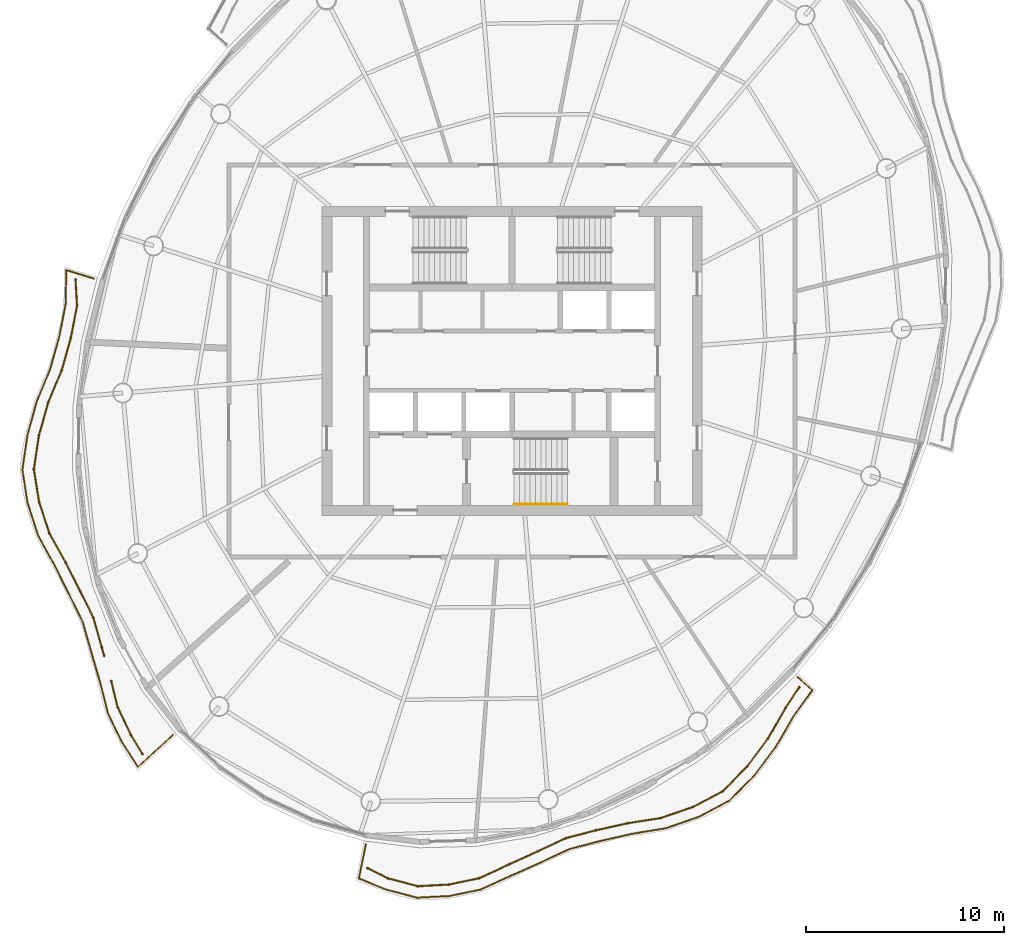
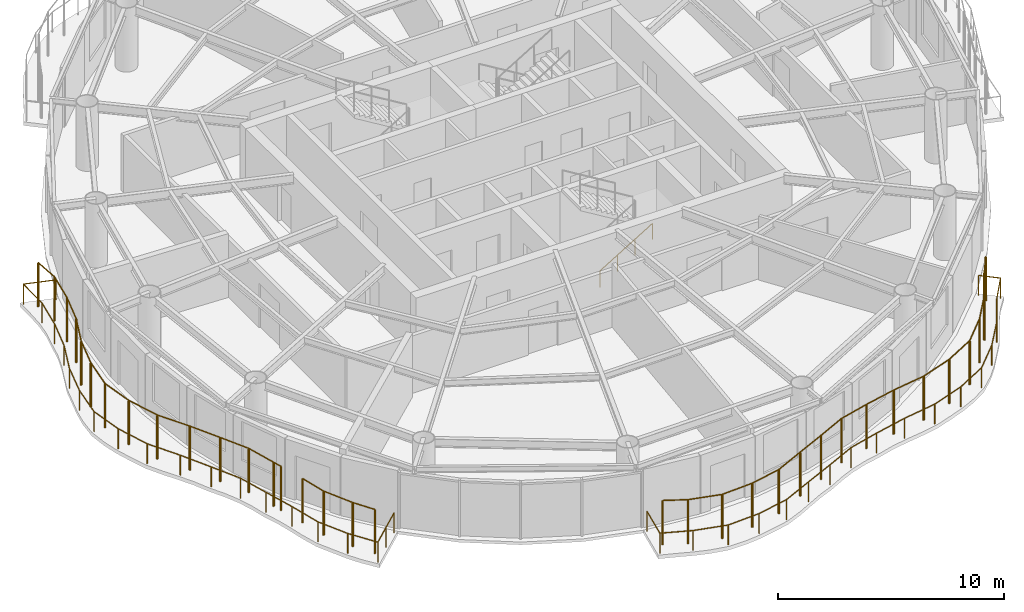
# One storey, part 11 of 13: 6 railings.
"""IFC4 building model written with IfcOpenShell, lengths in metres."""

from ifc_helpers import new_model, si_unit, direction, frame, origin, origin_2d, place, context, subcontext, project, spatial, circle, extrude, material, type_object, element, save


model = new_model("IFC4")

# Units and contexts
model_context = context("Model", 3, precision=1e-05, world=origin(), true_north=direction((0.0, 1.0)))
body_context = subcontext(model_context, "Body", "Model", "MODEL_VIEW")
ifc_project = project(units=[si_unit("LENGTHUNIT", "METRE"), si_unit("AREAUNIT", "SQUARE_METRE"), si_unit("VOLUMEUNIT", "CUBIC_METRE"), si_unit("PLANEANGLEUNIT", "RADIAN"), si_unit("MASSUNIT", "GRAM", prefix="KILO")], contexts=[model_context])

# Site, building, storey
site_placement = place(None, origin())
site = spatial("IfcSite", under=ifc_project, at=site_placement, CompositionType="ELEMENT")
building_placement = place(site_placement, origin())
building = spatial("IfcBuilding", under=site, at=building_placement, Name="Vermilion Reach Broadcast Tower", CompositionType="ELEMENT")
storey_placement = place(building_placement, frame((0.0, 0.0, 275.699951171875)))
storey = spatial("IfcBuildingStorey", under=building, at=storey_placement, Name="L68", CompositionType="ELEMENT", Elevation=275.699951171875)

# Railings
ifc_material_1 = material(Name="Terracotta baguette", Category="masonry")
railing_type_1 = type_object("IfcRailingType", Name="BAGUETTE SCREEN", PredefinedType="USERDEFINED", material=ifc_material_1)
railing_1_placement = place(storey_placement, frame((-28.05029296875, 4.098388671875, 0.0)))
element("IfcRailing", 1, at=railing_1_placement, inside=storey, type_object=railing_type_1, Name="Baguette screen L68 group 2 part 1", ObjectType="BAGUETTE SCREEN", PredefinedType="USERDEFINED", context=body_context, shape_type="SweptSolid", body=[
    extrude(circle(Radius=0.030029296875, at=origin_2d()), frame((0.0, 0.0, 2.369873046875), z_axis=(0.056230594046, -0.998417808482, 0.0), x_axis=(0.998417808482, 0.056230594046, 0.0)), (0.0, 0.0, 1.0), 1.315673828125),
    extrude(circle(Radius=0.030029296875, at=origin_2d()), frame((0.073974609375, -1.3134765625, 2.369873046875), z_axis=(-0.189390605027, -0.981901827439, 0.0), x_axis=(0.981901827439, -0.189390605027, 0.0)), (0.0, 0.0, 1.0), 1.68359375),
    extrude(circle(Radius=0.030029296875, at=origin_2d()), frame((-0.244873046875, -2.966552734375, 2.369873046875), z_axis=(-0.273795754563, -0.961787858513, 0.0), x_axis=(0.961787858513, -0.273795754563, 0.0)), (0.0, 0.0, 1.0), 1.6728515625),
    extrude(circle(Radius=0.030029296875, at=origin_2d()), frame((-0.702880859375, -4.575439453125, 2.369873046875), z_axis=(-0.385492463317, -0.922710984396, 0.0), x_axis=(0.922710984396, -0.385492463317, 0.0)), (0.0, 0.0, 1.0), 1.7587890625),
    extrude(circle(Radius=0.030029296875, at=origin_2d()), frame((-1.380859375, -6.1982421875, 2.369873046875), z_axis=(-0.271069737565, -0.962559711071, 0.0), x_axis=(0.962559711071, -0.271069737565, 0.0)), (0.0, 0.0, 1.0), 1.722900390625),
    extrude(circle(Radius=0.030029296875, at=origin_2d()), frame((-1.847900390625, -7.856689453125, 2.369873046875), z_axis=(-0.149419747053, -0.988773856446, 0.0), x_axis=(0.988773856446, -0.149419747053, 0.0)), (0.0, 0.0, 1.0), 1.725341796875),
    extrude(circle(Radius=0.030029296875, at=origin_2d()), frame((-2.105712890625, -9.562744140625, 2.369873046875), z_axis=(0.156875895535, -0.987618323747, 0.0), x_axis=(0.987618323747, 0.156875895535, 0.0)), (0.0, 0.0, 1.0), 1.674560546875),
    extrude(circle(Radius=0.030029296875, at=origin_2d()), frame((-1.843017578125, -11.216552734375, 2.369873046875), z_axis=(0.311362196829, -0.950291314485, 0.0), x_axis=(0.950291314485, 0.311362196829, 0.0)), (0.0, 0.0, 1.0), 1.6875),
    extrude(circle(Radius=0.030029296875, at=origin_2d()), frame((-1.317626953125, -12.820068359375, 2.369873046875), z_axis=(0.489451123241, -0.872030732233, 0.0), x_axis=(0.872030732233, 0.489451123241, 0.0)), (0.0, 0.0, 1.0), 1.674560546875),
    extrude(circle(Radius=0.030029296875, at=origin_2d()), frame((-0.498046875, -14.2802734375, 2.369873046875), z_axis=(0.451956717847, -0.892039867491, 0.0), x_axis=(0.892039867491, 0.451956717847, 0.0)), (0.0, 0.0, 1.0), 1.603759765625),
    extrude(circle(Radius=0.030029296875, at=origin_2d()), frame((0.226806640625, -15.7109375, 2.369873046875), z_axis=(0.443630288074, -0.896209890318, 0.0), x_axis=(0.896209890318, 0.443630288074, 0.0)), (0.0, 0.0, 1.0), 1.527587890625),
    extrude(circle(Radius=0.030029296875, at=origin_2d()), frame((0.904541015625, -17.080078125, 2.369873046875), z_axis=(0.270657922416, -0.962675588676, 0.0), x_axis=(0.962675588676, 0.270657922416, 0.0)), (0.0, 0.0, 1.0), 1.532470703125),
    extrude(circle(Radius=0.030029296875, at=origin_2d()), frame((1.3193359375, -18.555419921875, 2.369873046875), z_axis=(0.275077995575, -0.961421913808, 0.0), x_axis=(0.961421913808, 0.275077995575, 0.0)), (0.0, 0.0, 1.0), 0.45166015625),
    extrude(circle(Radius=0.050048828125, at=origin_2d()), origin(), (0.0, 0.0, 1.0), 2.33984375),
    extrude(circle(Radius=0.050048828125, at=origin_2d()), frame((0.073974609375, -1.3134765625, 0.0)), (0.0, 0.0, 1.0), 2.33984375),
    extrude(circle(Radius=0.050048828125, at=origin_2d()), frame((-0.244873046875, -2.966552734375, 0.0)), (0.0, 0.0, 1.0), 2.33984375),
    extrude(circle(Radius=0.050048828125, at=origin_2d()), frame((-0.702880859375, -4.575439453125, 0.0)), (0.0, 0.0, 1.0), 2.33984375),
    extrude(circle(Radius=0.050048828125, at=origin_2d()), frame((-1.380859375, -6.1982421875, 0.0)), (0.0, 0.0, 1.0), 2.33984375),
    extrude(circle(Radius=0.050048828125, at=origin_2d()), frame((-1.847900390625, -7.856689453125, 0.0)), (0.0, 0.0, 1.0), 2.33984375),
    extrude(circle(Radius=0.050048828125, at=origin_2d()), frame((-2.105712890625, -9.562744140625, 0.0)), (0.0, 0.0, 1.0), 2.33984375),
    extrude(circle(Radius=0.050048828125, at=origin_2d()), frame((-1.843017578125, -11.216552734375, 0.0)), (0.0, 0.0, 1.0), 2.33984375),
    extrude(circle(Radius=0.050048828125, at=origin_2d()), frame((-1.317626953125, -12.820068359375, 0.0)), (0.0, 0.0, 1.0), 2.33984375),
    extrude(circle(Radius=0.050048828125, at=origin_2d()), frame((-0.498046875, -14.2802734375, 0.0)), (0.0, 0.0, 1.0), 2.33984375),
    extrude(circle(Radius=0.050048828125, at=origin_2d()), frame((0.226806640625, -15.7109375, 0.0)), (0.0, 0.0, 1.0), 2.33984375),
    extrude(circle(Radius=0.050048828125, at=origin_2d()), frame((0.904541015625, -17.080078125, 0.0)), (0.0, 0.0, 1.0), 2.33984375),
    extrude(circle(Radius=0.050048828125, at=origin_2d()), frame((1.3193359375, -18.555419921875, 0.0)), (0.0, 0.0, 1.0), 2.33984375),
    extrude(circle(Radius=0.050048828125, at=origin_2d()), frame((1.443603515625, -18.98974609375, 0.0)), (0.0, 0.0, 1.0), 2.33984375),
])
railing_2_placement = place(storey_placement, frame((-26.246826171875, -16.182861328125, 0.0)))
element("IfcRailing", 2, at=railing_2_placement, inside=storey, type_object=railing_type_1, Name="Baguette screen L68 group 2 part 2", ObjectType="BAGUETTE SCREEN", PredefinedType="USERDEFINED", context=body_context, shape_type="SweptSolid", body=[
    extrude(circle(Radius=0.030029296875, at=origin_2d()), frame((0.0, 0.0, 2.369873046875), z_axis=(0.238530724154, -0.971134951299, 0.0), x_axis=(0.971134951299, 0.238530724154, 0.0)), (0.0, 0.0, 1.0), 1.348876953125),
    extrude(circle(Radius=0.030029296875, at=origin_2d()), frame((0.32177734375, -1.31005859375, 2.369873046875), z_axis=(0.431655218782, -0.9020386755, 0.0), x_axis=(0.9020386755, 0.431655218782, 0.0)), (0.0, 0.0, 1.0), 1.55712890625),
    extrude(circle(Radius=0.030029296875, at=origin_2d()), frame((0.993896484375, -2.714599609375, 2.369873046875), z_axis=(0.520999483752, -0.853556991612, 0.0), x_axis=(0.853556991612, 0.520999483752, 0.0)), (0.0, 0.0, 1.0), 1.1181640625),
    extrude(circle(Radius=0.050048828125, at=origin_2d()), origin(), (0.0, 0.0, 1.0), 2.33984375),
    extrude(circle(Radius=0.050048828125, at=origin_2d()), frame((0.32177734375, -1.31005859375, 0.0)), (0.0, 0.0, 1.0), 2.33984375),
    extrude(circle(Radius=0.050048828125, at=origin_2d()), frame((0.993896484375, -2.714599609375, 0.0)), (0.0, 0.0, 1.0), 2.33984375),
    extrude(circle(Radius=0.050048828125, at=origin_2d()), frame((1.576416015625, -3.6689453125, 0.0)), (0.0, 0.0, 1.0), 2.33984375),
])
railing_3_placement = place(storey_placement, frame((-13.295654296875, -25.615966796875, 0.0)))
element("IfcRailing", 3, at=railing_3_placement, inside=storey, type_object=railing_type_1, Name="Baguette screen L68 group 3", ObjectType="BAGUETTE SCREEN", PredefinedType="USERDEFINED", context=body_context, shape_type="SweptSolid", body=[
    extrude(circle(Radius=0.030029296875, at=origin_2d()), frame((0.0, 0.0, 2.369873046875), z_axis=(0.891950989871, -0.452132095374, 0.0), x_axis=(0.452132095374, 0.891950989871, 0.0)), (0.0, 0.0, 1.0), 1.130126953125),
    extrude(circle(Radius=0.030029296875, at=origin_2d()), frame((1.008056640625, -0.510986328125, 2.369873046875), z_axis=(0.96622460742, -0.257701393121, 0.0), x_axis=(0.257701393121, 0.96622460742, 0.0)), (0.0, 0.0, 1.0), 1.56884765625),
    extrude(circle(Radius=0.030029296875, at=origin_2d()), frame((2.52392578125, -0.915283203125, 2.369873046875), z_axis=(0.998610583936, 0.052696315338, 0.0), x_axis=(-0.052696315338, 0.998610583936, 0.0)), (0.0, 0.0, 1.0), 1.58447265625),
    extrude(circle(Radius=0.030029296875, at=origin_2d()), frame((4.106201171875, -0.831787109375, 2.369873046875), z_axis=(0.978682393217, 0.205379583228, 0.0), x_axis=(-0.205379583228, 0.978682393217, 0.0)), (0.0, 0.0, 1.0), 1.579833984375),
    extrude(circle(Radius=0.030029296875, at=origin_2d()), frame((5.65234375, -0.50732421875, 2.369873046875), z_axis=(0.906663144871, 0.421855356411, 0.0), x_axis=(-0.421855356411, 0.906663144871, 0.0)), (0.0, 0.0, 1.0), 1.648193359375),
    extrude(circle(Radius=0.030029296875, at=origin_2d()), frame((7.146728515625, 0.18798828125, 2.369873046875), z_axis=(0.910752451091, 0.412952748908, 0.0), x_axis=(-0.412952748908, 0.910752451091, 0.0)), (0.0, 0.0, 1.0), 1.57958984375),
    extrude(circle(Radius=0.030029296875, at=origin_2d()), frame((8.58544921875, 0.84033203125, 2.369873046875), z_axis=(0.904472047326, 0.426532900966, 0.0), x_axis=(-0.426532900966, 0.904472047326, 0.0)), (0.0, 0.0, 1.0), 1.58154296875),
    extrude(circle(Radius=0.030029296875, at=origin_2d()), frame((10.015869140625, 1.514892578125, 2.369873046875), z_axis=(0.968032150962, 0.250826144379, 0.0), x_axis=(-0.250826144379, 0.968032150962, 0.0)), (0.0, 0.0, 1.0), 1.557373046875),
    extrude(circle(Radius=0.030029296875, at=origin_2d()), frame((11.5234375, 1.905517578125, 2.369873046875), z_axis=(0.976046024865, 0.217564145356, 0.0), x_axis=(-0.217564145356, 0.976046024865, 0.0)), (0.0, 0.0, 1.0), 1.631591796875),
    extrude(circle(Radius=0.030029296875, at=origin_2d()), frame((13.115966796875, 2.260498046875, 2.369873046875), z_axis=(0.987870546325, 0.15527969508, 0.0), x_axis=(-0.15527969508, 0.987870546325, 0.0)), (0.0, 0.0, 1.0), 1.70751953125),
    extrude(circle(Radius=0.030029296875, at=origin_2d()), frame((14.802734375, 2.525634765625, 2.369873046875), z_axis=(0.945853966246, 0.324592474555, 0.0), x_axis=(-0.324592474555, 0.945853966246, 0.0)), (0.0, 0.0, 1.0), 1.722412109375),
    extrude(circle(Radius=0.030029296875, at=origin_2d()), frame((16.431884765625, 3.084716796875, 2.369873046875), z_axis=(0.883843516692, 0.467782682452, 0.0), x_axis=(-0.467782682452, 0.883843516692, 0.0)), (0.0, 0.0, 1.0), 1.708740234375),
    extrude(circle(Radius=0.030029296875, at=origin_2d()), frame((17.942138671875, 3.884033203125, 2.369873046875), z_axis=(0.70017039315, 0.713975784292, 0.0), x_axis=(-0.713975784292, 0.70017039315, 0.0)), (0.0, 0.0, 1.0), 1.750732421875),
    extrude(circle(Radius=0.030029296875, at=origin_2d()), frame((19.16796875, 5.134033203125, 2.369873046875), z_axis=(0.599153080097, 0.80063449002, 0.0), x_axis=(-0.80063449002, 0.599153080097, 0.0)), (0.0, 0.0, 1.0), 1.75341796875),
    extrude(circle(Radius=0.030029296875, at=origin_2d()), frame((20.218505859375, 6.537841796875, 2.369873046875), z_axis=(0.496727962694, 0.867906291645, 0.0), x_axis=(-0.867906291645, 0.496727962694, 0.0)), (0.0, 0.0, 1.0), 1.78515625),
    extrude(circle(Radius=0.030029296875, at=origin_2d()), frame((21.105224609375, 8.087158203125, 2.369873046875), z_axis=(0.550972163051, 0.83452362192, 0.0), x_axis=(-0.83452362192, 0.550972163051, 0.0)), (0.0, 0.0, 1.0), 1.256103515625),
    extrude(circle(Radius=0.050048828125, at=origin_2d()), origin(), (0.0, 0.0, 1.0), 2.33984375),
    extrude(circle(Radius=0.050048828125, at=origin_2d()), frame((1.008056640625, -0.510986328125, 0.0)), (0.0, 0.0, 1.0), 2.33984375),
    extrude(circle(Radius=0.050048828125, at=origin_2d()), frame((2.52392578125, -0.915283203125, 0.0)), (0.0, 0.0, 1.0), 2.33984375),
    extrude(circle(Radius=0.050048828125, at=origin_2d()), frame((4.106201171875, -0.831787109375, 0.0)), (0.0, 0.0, 1.0), 2.33984375),
    extrude(circle(Radius=0.050048828125, at=origin_2d()), frame((5.65234375, -0.50732421875, 0.0)), (0.0, 0.0, 1.0), 2.33984375),
    extrude(circle(Radius=0.050048828125, at=origin_2d()), frame((7.146728515625, 0.18798828125, 0.0)), (0.0, 0.0, 1.0), 2.33984375),
    extrude(circle(Radius=0.050048828125, at=origin_2d()), frame((8.58544921875, 0.84033203125, 0.0)), (0.0, 0.0, 1.0), 2.33984375),
    extrude(circle(Radius=0.050048828125, at=origin_2d()), frame((10.015869140625, 1.514892578125, 0.0)), (0.0, 0.0, 1.0), 2.33984375),
    extrude(circle(Radius=0.050048828125, at=origin_2d()), frame((11.5234375, 1.905517578125, 0.0)), (0.0, 0.0, 1.0), 2.33984375),
    extrude(circle(Radius=0.050048828125, at=origin_2d()), frame((13.115966796875, 2.260498046875, 0.0)), (0.0, 0.0, 1.0), 2.33984375),
    extrude(circle(Radius=0.050048828125, at=origin_2d()), frame((14.802734375, 2.525634765625, 0.0)), (0.0, 0.0, 1.0), 2.33984375),
    extrude(circle(Radius=0.050048828125, at=origin_2d()), frame((16.431884765625, 3.084716796875, 0.0)), (0.0, 0.0, 1.0), 2.33984375),
    extrude(circle(Radius=0.050048828125, at=origin_2d()), frame((17.942138671875, 3.884033203125, 0.0)), (0.0, 0.0, 1.0), 2.33984375),
    extrude(circle(Radius=0.050048828125, at=origin_2d()), frame((19.16796875, 5.134033203125, 0.0)), (0.0, 0.0, 1.0), 2.33984375),
    extrude(circle(Radius=0.050048828125, at=origin_2d()), frame((20.218505859375, 6.537841796875, 0.0)), (0.0, 0.0, 1.0), 2.33984375),
    extrude(circle(Radius=0.050048828125, at=origin_2d()), frame((21.105224609375, 8.087158203125, 0.0)), (0.0, 0.0, 1.0), 2.33984375),
    extrude(circle(Radius=0.050048828125, at=origin_2d()), frame((21.79736328125, 9.135498046875, 0.0)), (0.0, 0.0, 1.0), 2.33984375),
])
ifc_material_2 = material(Name="Stainless steel 316 balustrade", Category="steel")
railing_type_2 = type_object("IfcRailingType", Name="Balcony guard 1100", PredefinedType="BALUSTRADE", material=ifc_material_2)
railing_4_placement = place(storey_placement, frame((-27.117919921875, 4.156005859375, 0.0)))
element("IfcRailing", 4, at=railing_4_placement, inside=storey, type_object=railing_type_2, Name="Balcony guard L68 group 2", PredefinedType="BALUSTRADE", context=body_context, shape_type="SweptSolid", body=[
    extrude(circle(Radius=0.02490234375, at=origin_2d()), frame((0.0, 0.0, 1.0751953125), z_axis=(-0.95569650276, 0.294353859517, 0.0), x_axis=(-0.294353859517, -0.95569650276, 0.0)), (0.0, 0.0, 1.0), 1.47216796875),
    extrude(circle(Radius=0.02490234375, at=origin_2d()), frame((-1.406982421875, 0.433349609375, 1.0751953125), z_axis=(-0.008507833482, -0.99996380773, 0.0), x_axis=(0.99996380773, -0.008507833482, 0.0)), (0.0, 0.0, 1.0), 1.664306640625),
    extrude(circle(Radius=0.02490234375, at=origin_2d()), frame((-1.421142578125, -1.23095703125, 1.0751953125), z_axis=(-0.189902484441, -0.981802957015, 0.0), x_axis=(0.981802957015, -0.189902484441, 0.0)), (0.0, 0.0, 1.0), 1.71630859375),
    extrude(circle(Radius=0.02490234375, at=origin_2d()), frame((-1.7470703125, -2.916015625, 1.0751953125), z_axis=(-0.271562166896, -0.962420900392, 0.0), x_axis=(0.962420900392, -0.271562166896, 0.0)), (0.0, 0.0, 1.0), 1.70556640625),
    extrude(circle(Radius=0.02490234375, at=origin_2d()), frame((-2.210205078125, -4.557373046875, 1.0751953125), z_axis=(-0.3804686784, -0.924793806617, 0.0), x_axis=(0.924793806617, -0.3804686784, 0.0)), (0.0, 0.0, 1.0), 1.791015625),
    extrude(circle(Radius=0.02490234375, at=origin_2d()), frame((-2.8916015625, -6.213623046875, 1.0751953125), z_axis=(-0.266797632556, -0.963752573674, 0.0), x_axis=(0.963752573674, -0.266797632556, 0.0)), (0.0, 0.0, 1.0), 1.756103515625),
    extrude(circle(Radius=0.02490234375, at=origin_2d()), frame((-3.360107421875, -7.906005859375, 1.0751953125), z_axis=(-0.1461767074, -0.989258495144, 0.0), x_axis=(0.989258495144, -0.1461767074, 0.0)), (0.0, 0.0, 1.0), 1.76025390625),
    extrude(circle(Radius=0.02490234375, at=origin_2d()), frame((-3.617431640625, -9.6474609375, 1.0751953125), z_axis=(0.155200013695, -0.987883067852, 0.0), x_axis=(0.987883067852, 0.155200013695, 0.0)), (0.0, 0.0, 1.0), 1.7099609375),
    extrude(circle(Radius=0.02490234375, at=origin_2d()), frame((-3.35205078125, -11.336669921875, 1.0751953125), z_axis=(0.307718484153, -0.951477448241, 0.0), x_axis=(0.951477448241, 0.307718484153, 0.0)), (0.0, 0.0, 1.0), 1.72412109375),
    extrude(circle(Radius=0.02490234375, at=origin_2d()), frame((-2.821533203125, -12.97705078125, 1.0751953125), z_axis=(0.483835763324, -0.875158816518, 0.0), x_axis=(0.875158816518, 0.483835763324, 0.0)), (0.0, 0.0, 1.0), 1.7099609375),
    extrude(circle(Radius=0.02490234375, at=origin_2d()), frame((-1.994140625, -14.4736328125, 1.0751953125), z_axis=(0.447629808598, -0.894218963372, 0.0), x_axis=(0.894218963372, 0.447629808598, 0.0)), (0.0, 0.0, 1.0), 1.642333984375),
    extrude(circle(Radius=0.02490234375, at=origin_2d()), frame((-1.259033203125, -15.942138671875, 1.0751953125), z_axis=(0.440844413498, -0.897583535437, 0.0), x_axis=(0.897583535437, 0.440844413498, 0.0)), (0.0, 0.0, 1.0), 1.566650390625),
    extrude(circle(Radius=0.02490234375, at=origin_2d()), frame((-0.568359375, -17.348388671875, 1.0751953125), z_axis=(0.274024269761, -0.961722776886, 0.0), x_axis=(0.961722776886, 0.274024269761, 0.0)), (0.0, 0.0, 1.0), 1.573486328125),
    extrude(circle(Radius=0.02490234375, at=origin_2d()), frame((-0.13720703125, -18.861572265625, 1.0751953125), z_axis=(0.280542772884, -0.959841524723, 0.0), x_axis=(0.959841524723, 0.280542772884, 0.0)), (0.0, 0.0, 1.0), 1.57177734375),
    extrude(circle(Radius=0.02490234375, at=origin_2d()), frame((0.3037109375, -20.3701171875, 1.0751953125), z_axis=(0.246116375509, -0.969240284814, 0.0), x_axis=(0.969240284814, 0.246116375509, 0.0)), (0.0, 0.0, 1.0), 1.651611328125),
    extrude(circle(Radius=0.02490234375, at=origin_2d()), frame((0.710205078125, -21.970947265625, 1.0751953125), z_axis=(0.436067527991, -0.899913946459, 0.0), x_axis=(0.899913946459, 0.436067527991, 0.0)), (0.0, 0.0, 1.0), 1.599609375),
    extrude(circle(Radius=0.02490234375, at=origin_2d()), frame((1.40771484375, -23.410400390625, 1.0751953125), z_axis=(0.546472574855, -0.837476999643, 0.0), x_axis=(0.837476999643, 0.546472574855, 0.0)), (0.0, 0.0, 1.0), 1.49072265625),
    extrude(circle(Radius=0.02490234375, at=origin_2d()), frame((2.222412109375, -24.658935546875, 1.0751953125), z_axis=(0.738383666236, 0.67438087268, 0.0), x_axis=(-0.67438087268, 0.738383666236, 0.0)), (0.0, 0.0, 1.0), 2.387939453125),
    extrude(circle(Radius=0.02490234375, at=origin_2d()), origin(), (0.0, 0.0, 1.0), 1.050048828125),
    extrude(circle(Radius=0.02490234375, at=origin_2d()), frame((-1.406982421875, 0.433349609375, 0.0)), (0.0, 0.0, 1.0), 1.050048828125),
    extrude(circle(Radius=0.02490234375, at=origin_2d()), frame((-1.421142578125, -1.23095703125, 0.0)), (0.0, 0.0, 1.0), 1.050048828125),
    extrude(circle(Radius=0.02490234375, at=origin_2d()), frame((-1.7470703125, -2.916015625, 0.0)), (0.0, 0.0, 1.0), 1.050048828125),
    extrude(circle(Radius=0.02490234375, at=origin_2d()), frame((-2.210205078125, -4.557373046875, 0.0)), (0.0, 0.0, 1.0), 1.050048828125),
    extrude(circle(Radius=0.02490234375, at=origin_2d()), frame((-2.8916015625, -6.213623046875, 0.0)), (0.0, 0.0, 1.0), 1.050048828125),
    extrude(circle(Radius=0.02490234375, at=origin_2d()), frame((-3.360107421875, -7.906005859375, 0.0)), (0.0, 0.0, 1.0), 1.050048828125),
    extrude(circle(Radius=0.02490234375, at=origin_2d()), frame((-3.617431640625, -9.6474609375, 0.0)), (0.0, 0.0, 1.0), 1.050048828125),
    extrude(circle(Radius=0.02490234375, at=origin_2d()), frame((-3.35205078125, -11.336669921875, 0.0)), (0.0, 0.0, 1.0), 1.050048828125),
    extrude(circle(Radius=0.02490234375, at=origin_2d()), frame((-2.821533203125, -12.97705078125, 0.0)), (0.0, 0.0, 1.0), 1.050048828125),
    extrude(circle(Radius=0.02490234375, at=origin_2d()), frame((-1.994140625, -14.4736328125, 0.0)), (0.0, 0.0, 1.0), 1.050048828125),
    extrude(circle(Radius=0.02490234375, at=origin_2d()), frame((-1.259033203125, -15.942138671875, 0.0)), (0.0, 0.0, 1.0), 1.050048828125),
    extrude(circle(Radius=0.02490234375, at=origin_2d()), frame((-0.568359375, -17.348388671875, 0.0)), (0.0, 0.0, 1.0), 1.050048828125),
    extrude(circle(Radius=0.02490234375, at=origin_2d()), frame((-0.13720703125, -18.861572265625, 0.0)), (0.0, 0.0, 1.0), 1.050048828125),
    extrude(circle(Radius=0.02490234375, at=origin_2d()), frame((0.3037109375, -20.3701171875, 0.0)), (0.0, 0.0, 1.0), 1.050048828125),
    extrude(circle(Radius=0.02490234375, at=origin_2d()), frame((0.710205078125, -21.970947265625, 0.0)), (0.0, 0.0, 1.0), 1.050048828125),
    extrude(circle(Radius=0.02490234375, at=origin_2d()), frame((1.40771484375, -23.410400390625, 0.0)), (0.0, 0.0, 1.0), 1.050048828125),
    extrude(circle(Radius=0.02490234375, at=origin_2d()), frame((2.222412109375, -24.658935546875, 0.0)), (0.0, 0.0, 1.0), 1.050048828125),
    extrude(circle(Radius=0.02490234375, at=origin_2d()), frame((3.10400390625, -23.853759765625, 0.0)), (0.0, 0.0, 1.0), 1.050048828125),
    extrude(circle(Radius=0.02490234375, at=origin_2d()), frame((3.985595703125, -23.048583984375, 0.0)), (0.0, 0.0, 1.0), 1.050048828125),
])
railing_5_placement = place(storey_placement, frame((-13.387451171875, -24.41064453125, 0.0)))
element("IfcRailing", 5, at=railing_5_placement, inside=storey, type_object=railing_type_2, Name="Balcony guard L68 group 3", PredefinedType="BALUSTRADE", context=body_context, shape_type="SweptSolid", body=[
    extrude(circle(Radius=0.02490234375, at=origin_2d()), frame((0.0, 0.0, 1.0751953125), z_axis=(-0.198372137421, -0.980126775012, 0.0), x_axis=(0.980126775012, -0.198372137421, 0.0)), (0.0, 0.0, 1.0), 1.7685546875),
    extrude(circle(Radius=0.02490234375, at=origin_2d()), frame((-0.350830078125, -1.7333984375, 1.0751953125), z_axis=(0.92696447018, -0.375149131711, 0.0), x_axis=(0.375149131711, 0.92696447018, 0.0)), (0.0, 0.0, 1.0), 1.48828125),
    extrude(circle(Radius=0.02490234375, at=origin_2d()), frame((1.02880859375, -2.291748046875, 1.0751953125), z_axis=(0.967391668642, -0.253285134665, 0.0), x_axis=(0.253285134665, 0.967391668642, 0.0)), (0.0, 0.0, 1.0), 1.611572265625),
    extrude(circle(Radius=0.02490234375, at=origin_2d()), frame((2.587890625, -2.699951171875, 1.0751953125), z_axis=(0.998698656751, 0.050999931405, 0.0), x_axis=(-0.050999931405, 0.998698656751, 0.0)), (0.0, 0.0, 1.0), 1.627685546875),
    extrude(circle(Radius=0.02490234375, at=origin_2d()), frame((4.21337890625, -2.616943359375, 1.0751953125), z_axis=(0.979440411068, 0.201733688728, 0.0), x_axis=(-0.201733688728, 0.979440411068, 0.0)), (0.0, 0.0, 1.0), 1.620361328125),
    extrude(circle(Radius=0.02490234375, at=origin_2d()), frame((5.800537109375, -2.2900390625, 1.0751953125), z_axis=(0.909636917851, 0.41540423407, 0.0), x_axis=(-0.41540423407, 0.909636917851, 0.0)), (0.0, 0.0, 1.0), 1.68798828125),
    extrude(circle(Radius=0.02490234375, at=origin_2d()), frame((7.3359375, -1.5888671875, 1.0751953125), z_axis=(0.912963263212, 0.408041762599, 0.0), x_axis=(-0.408041762599, 0.912963263212, 0.0)), (0.0, 0.0, 1.0), 1.617919921875),
    extrude(circle(Radius=0.02490234375, at=origin_2d()), frame((8.81298828125, -0.9287109375, 1.0751953125), z_axis=(0.906213934334, 0.422819471191, 0.0), x_axis=(-0.422819471191, 0.906213934334, 0.0)), (0.0, 0.0, 1.0), 1.6201171875),
    extrude(circle(Radius=0.02490234375, at=origin_2d()), frame((10.28125, -0.24365234375, 1.0751953125), z_axis=(0.967558708864, 0.252646284163, 0.0), x_axis=(-0.252646284163, 0.967558708864, 0.0)), (0.0, 0.0, 1.0), 1.594482421875),
    extrude(circle(Radius=0.02490234375, at=origin_2d()), frame((11.823974609375, 0.1591796875, 1.0751953125), z_axis=(0.975181706508, 0.221406050712, 0.0), x_axis=(-0.221406050712, 0.975181706508, 0.0)), (0.0, 0.0, 1.0), 1.66845703125),
    extrude(circle(Radius=0.02490234375, at=origin_2d()), frame((13.450927734375, 0.528564453125, 1.0751953125), z_axis=(0.98691193807, 0.1612601206, 0.0), x_axis=(-0.1612601206, 0.98691193807, 0.0)), (0.0, 0.0, 1.0), 1.740966796875),
    extrude(circle(Radius=0.02490234375, at=origin_2d()), frame((15.169189453125, 0.809326171875, 1.0751953125), z_axis=(0.944534273871, 0.328412858278, 0.0), x_axis=(-0.328412858278, 0.944534273871, 0.0)), (0.0, 0.0, 1.0), 1.75732421875),
    extrude(circle(Radius=0.02490234375, at=origin_2d()), frame((16.8291015625, 1.386474609375, 1.0751953125), z_axis=(0.882995959192, 0.469380587638, 0.0), x_axis=(-0.469380587638, 0.882995959192, 0.0)), (0.0, 0.0, 1.0), 1.742431640625),
    extrude(circle(Radius=0.02490234375, at=origin_2d()), frame((18.36767578125, 2.204345703125, 1.0751953125), z_axis=(0.702232486081, 0.711947705588, 0.0), x_axis=(-0.711947705588, 0.702232486081, 0.0)), (0.0, 0.0, 1.0), 1.7841796875),
    extrude(circle(Radius=0.02490234375, at=origin_2d()), frame((19.62060546875, 3.474609375, 1.0751953125), z_axis=(0.602535121822, 0.798092367443, 0.0), x_axis=(-0.798092367443, 0.602535121822, 0.0)), (0.0, 0.0, 1.0), 1.78515625),
    extrude(circle(Radius=0.02490234375, at=origin_2d()), frame((20.6962890625, 4.8994140625, 1.0751953125), z_axis=(0.501152814591, 0.865358802132, 0.0), x_axis=(-0.865358802132, 0.501152814591, 0.0)), (0.0, 0.0, 1.0), 1.816650390625),
    extrude(circle(Radius=0.02490234375, at=origin_2d()), frame((21.606689453125, 6.471435546875, 1.0751953125), z_axis=(0.587865513949, 0.808958674785, 0.0), x_axis=(-0.808958674785, 0.587865513949, 0.0)), (0.0, 0.0, 1.0), 1.6123046875),
    extrude(circle(Radius=0.02490234375, at=origin_2d()), frame((22.554443359375, 7.775634765625, 1.0751953125), z_axis=(-0.744051204455, 0.668122597395, 0.0), x_axis=(-0.668122597395, -0.744051204455, 0.0)), (0.0, 0.0, 1.0), 0.99365234375),
    extrude(circle(Radius=0.02490234375, at=origin_2d()), origin(), (0.0, 0.0, 1.0), 1.050048828125),
    extrude(circle(Radius=0.02490234375, at=origin_2d()), frame((-0.350830078125, -1.7333984375, 0.0)), (0.0, 0.0, 1.0), 1.050048828125),
    extrude(circle(Radius=0.02490234375, at=origin_2d()), frame((1.02880859375, -2.291748046875, 0.0)), (0.0, 0.0, 1.0), 1.050048828125),
    extrude(circle(Radius=0.02490234375, at=origin_2d()), frame((2.587890625, -2.699951171875, 0.0)), (0.0, 0.0, 1.0), 1.050048828125),
    extrude(circle(Radius=0.02490234375, at=origin_2d()), frame((4.21337890625, -2.616943359375, 0.0)), (0.0, 0.0, 1.0), 1.050048828125),
    extrude(circle(Radius=0.02490234375, at=origin_2d()), frame((5.800537109375, -2.2900390625, 0.0)), (0.0, 0.0, 1.0), 1.050048828125),
    extrude(circle(Radius=0.02490234375, at=origin_2d()), frame((7.3359375, -1.5888671875, 0.0)), (0.0, 0.0, 1.0), 1.050048828125),
    extrude(circle(Radius=0.02490234375, at=origin_2d()), frame((8.81298828125, -0.9287109375, 0.0)), (0.0, 0.0, 1.0), 1.050048828125),
    extrude(circle(Radius=0.02490234375, at=origin_2d()), frame((10.28125, -0.24365234375, 0.0)), (0.0, 0.0, 1.0), 1.050048828125),
    extrude(circle(Radius=0.02490234375, at=origin_2d()), frame((11.823974609375, 0.1591796875, 0.0)), (0.0, 0.0, 1.0), 1.050048828125),
    extrude(circle(Radius=0.02490234375, at=origin_2d()), frame((13.450927734375, 0.528564453125, 0.0)), (0.0, 0.0, 1.0), 1.050048828125),
    extrude(circle(Radius=0.02490234375, at=origin_2d()), frame((15.169189453125, 0.809326171875, 0.0)), (0.0, 0.0, 1.0), 1.050048828125),
    extrude(circle(Radius=0.02490234375, at=origin_2d()), frame((16.8291015625, 1.386474609375, 0.0)), (0.0, 0.0, 1.0), 1.050048828125),
    extrude(circle(Radius=0.02490234375, at=origin_2d()), frame((18.36767578125, 2.204345703125, 0.0)), (0.0, 0.0, 1.0), 1.050048828125),
    extrude(circle(Radius=0.02490234375, at=origin_2d()), frame((19.62060546875, 3.474609375, 0.0)), (0.0, 0.0, 1.0), 1.050048828125),
    extrude(circle(Radius=0.02490234375, at=origin_2d()), frame((20.6962890625, 4.8994140625, 0.0)), (0.0, 0.0, 1.0), 1.050048828125),
    extrude(circle(Radius=0.02490234375, at=origin_2d()), frame((21.1513671875, 5.685546875, 0.0)), (0.0, 0.0, 1.0), 1.050048828125),
    extrude(circle(Radius=0.02490234375, at=origin_2d()), frame((21.606689453125, 6.471435546875, 0.0)), (0.0, 0.0, 1.0), 1.050048828125),
    extrude(circle(Radius=0.02490234375, at=origin_2d()), frame((22.554443359375, 7.775634765625, 0.0)), (0.0, 0.0, 1.0), 1.050048828125),
    extrude(circle(Radius=0.02490234375, at=origin_2d()), frame((21.815185546875, 8.439453125, 0.0)), (0.0, 0.0, 1.0), 1.050048828125),
])
ifc_material_3 = material(Name="Stainless steel", Category="steel")
railing_type_3 = type_object("IfcRailingType", Name="Stair handrail", PredefinedType="HANDRAIL", material=ifc_material_3)
railing_6_placement = place(storey_placement, frame((-5.89990234375, -7.25, 0.16357421875)))
element("IfcRailing", 6, at=railing_6_placement, inside=storey, type_object=railing_type_3, Name="L68 ST3 stair handrail 1", PredefinedType="HANDRAIL", context=body_context, shape_type="SweptSolid", body=[
    extrude(circle(Radius=0.02392578125, at=origin_2d()), frame((0.0, 0.0, 0.8759765625), z_axis=(0.855178096276, 0.0, 0.518334277904), x_axis=(0.0, 1.0, 0.0)), (0.0, 0.0, 1.0), 3.1572265625),
    extrude(circle(Radius=0.02099609375, at=origin_2d()), origin(), (0.0, 0.0, 1.0), 0.851806640625),
    extrude(circle(Radius=0.02099609375, at=origin_2d()), frame((0.89990234375, 0.0, 0.54541015625)), (0.0, 0.0, 1.0), 0.851806640625),
    extrude(circle(Radius=0.02099609375, at=origin_2d()), frame((1.800048828125, 0.0, 1.091064453125)), (0.0, 0.0, 1.0), 0.851806640625),
    extrude(circle(Radius=0.02099609375, at=origin_2d()), frame((2.699951171875, 0.0, 1.636474609375)), (0.0, 0.0, 1.0), 0.851806640625),
])

save(model, "model.ifc")
